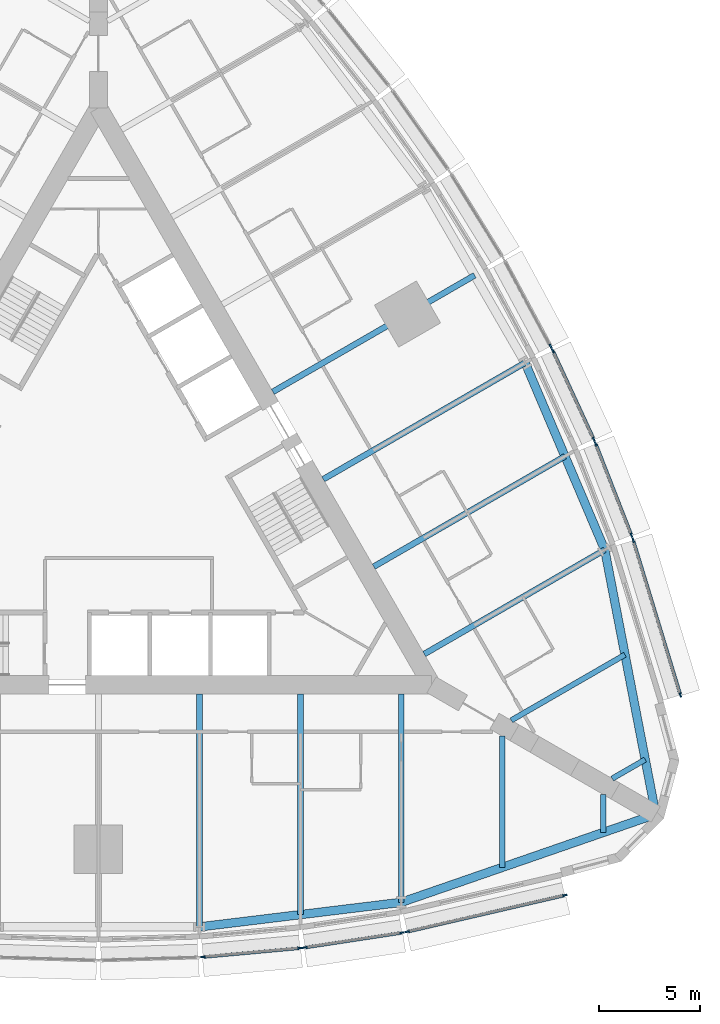
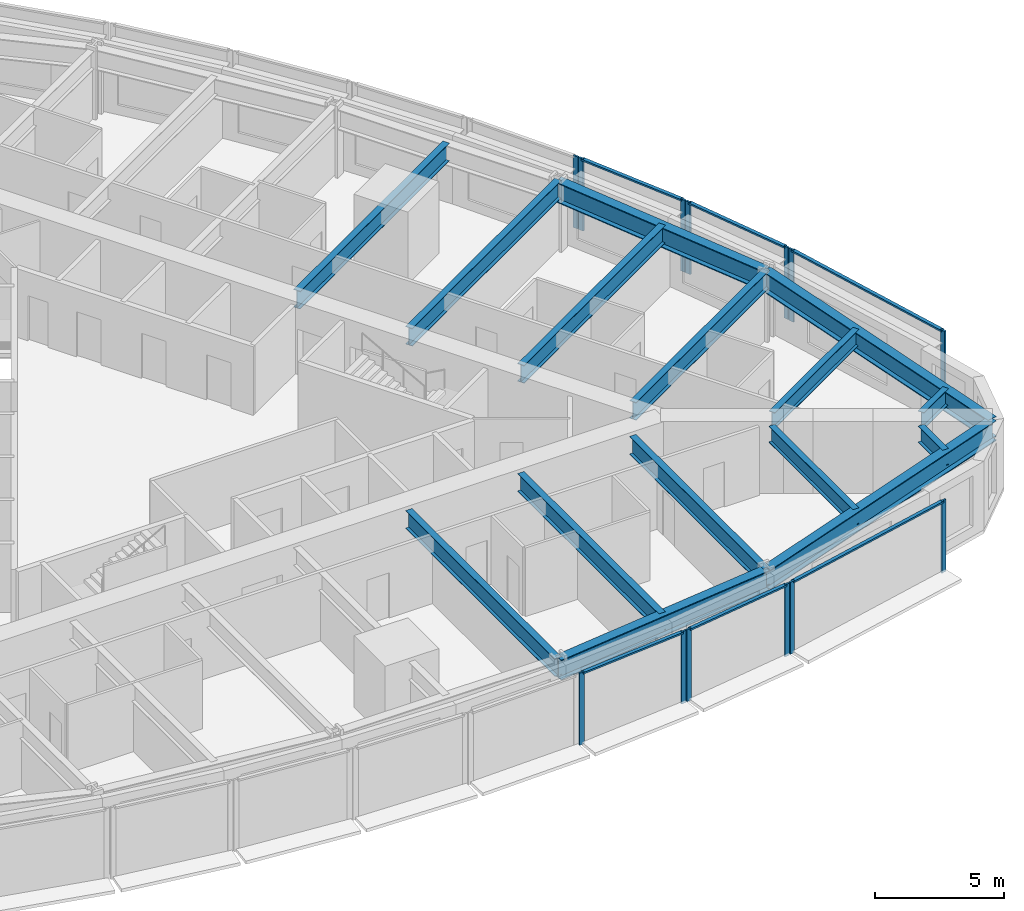
# One storey, part 3 of 14: 19 members, 15 beams, 7 elements without a shape of their own.
"""IFC4 building model written with IfcOpenShell, lengths in metres."""

from ifc_helpers import new_model, si_unit, direction, frame, origin, origin_2d, place, context, subcontext, project, spatial, rectangle, i_section, extrude, material, material_profile, profile_set, type_object, element, aggregate, save


model = new_model("IFC4")

# Units and contexts
model_context = context("Model", 3, precision=1e-05, world=origin(), true_north=direction((0.0, 1.0)))
body_context = subcontext(model_context, "Body", "Model", "MODEL_VIEW")
ifc_project = project(units=[si_unit("LENGTHUNIT", "METRE"), si_unit("AREAUNIT", "SQUARE_METRE"), si_unit("VOLUMEUNIT", "CUBIC_METRE"), si_unit("PLANEANGLEUNIT", "RADIAN"), si_unit("MASSUNIT", "GRAM", prefix="KILO")], contexts=[model_context])

# Site, building, storey
site_placement = place(None, origin())
site = spatial("IfcSite", under=ifc_project, at=site_placement, CompositionType="ELEMENT")
building_placement = place(site_placement, origin())
building = spatial("IfcBuilding", under=site, at=building_placement, Name="Trikona Tower", CompositionType="ELEMENT")
storey_placement = place(building_placement, frame((0.0, 0.0, 38.699951171875)))
storey = spatial("IfcBuildingStorey", under=building, at=storey_placement, Name="L08", CompositionType="ELEMENT", Elevation=38.699951171875)

# Curtain wall, members
ifc_material_1 = material(Name="Aluminium curtain wall system", Category="aluminium")
curtain_wall_type = type_object("IfcCurtainWallType", Name="Curtain wall DS1", PredefinedType="NOTDEFINED", material=ifc_material_1)
curtain_wall_1_placement = place(storey_placement, origin())
curtain_wall_1 = element("IfcCurtainWall", 1, at=curtain_wall_1_placement, inside=storey, type_object=curtain_wall_type, Name="Curtain wall DS1 L08", PredefinedType="NOTDEFINED")
ifc_material_2 = material(Name="Aluminium mullion, pale anodised", Category="aluminium")
ifc_material_profile_1 = material_profile(ifc_material_2, rectangle(XDim=0.080078125, YDim=0.219970703125, at=origin_2d()), Name="MUL-DS1")
ifc_profile_set_1 = profile_set([ifc_material_profile_1], Name="Aluminium mullion, pale anodised")
member_type_1 = type_object("IfcMemberType", Name="Mullion DS1 80x220", PredefinedType="MULLION", material=ifc_profile_set_1)
member_1_placement = place(storey_placement, frame((5.181396484375, -23.007568359375, 0.0), z_axis=(0.0, 0.0, 1.0), x_axis=(-0.090923932737, 0.995857840485, 0.0)))
member_1 = element("IfcMember", 2, at=member_1_placement, type_object=member_type_1, Name="CW-DS1 mullion 1", PredefinedType="MULLION", context=body_context, shape_type="SweptSolid", body=[
    extrude(rectangle(XDim=0.080078125, YDim=0.219970703125, at=origin_2d()), origin(), (0.0, 0.0, 1.0), 3.400146484375),
])
member_2_placement = place(storey_placement, frame((9.982177734375, -22.5693359375, 0.0), z_axis=(0.0, 0.0, 1.0), x_axis=(-0.090923932737, 0.995857840485, 0.0)))
member_2 = element("IfcMember", 3, at=member_2_placement, type_object=member_type_1, Name="CW-DS1 mullion 2", PredefinedType="MULLION", context=body_context, shape_type="SweptSolid", body=[
    extrude(rectangle(XDim=0.080078125, YDim=0.219970703125, at=origin_2d()), origin(), (0.0, 0.0, 1.0), 3.400146484375),
])

curtain_wall_2_placement = place(storey_placement, origin())
curtain_wall_2 = element("IfcCurtainWall", 4, at=curtain_wall_2_placement, inside=storey, type_object=curtain_wall_type, Name="Curtain wall DS1 L08", PredefinedType="NOTDEFINED")
member_3_placement = place(storey_placement, frame((10.234130859375, -22.53857421875, 0.0), z_axis=(0.0, 0.0, 1.0), x_axis=(-0.150437693845, 0.988619492156, 0.0)))
member_3 = element("IfcMember", 5, at=member_3_placement, type_object=member_type_1, Name="CW-DS1 mullion 1", PredefinedType="MULLION", context=body_context, shape_type="SweptSolid", body=[
    extrude(rectangle(XDim=0.080078125, YDim=0.219970703125, at=origin_2d()), origin(), (0.0, 0.0, 1.0), 3.400146484375),
])
member_4_placement = place(storey_placement, frame((15.03662109375, -21.807861328125, 0.0), z_axis=(0.0, 0.0, 1.0), x_axis=(-0.150437693845, 0.988619492156, 0.0)))
member_4 = element("IfcMember", 6, at=member_4_placement, type_object=member_type_1, Name="CW-DS1 mullion 2", PredefinedType="MULLION", context=body_context, shape_type="SweptSolid", body=[
    extrude(rectangle(XDim=0.080078125, YDim=0.219970703125, at=origin_2d()), origin(), (0.0, 0.0, 1.0), 3.400146484375),
])

curtain_wall_3_placement = place(storey_placement, origin())
curtain_wall_3 = element("IfcCurtainWall", 7, at=curtain_wall_3_placement, inside=storey, type_object=curtain_wall_type, Name="Curtain wall DS1 L08", PredefinedType="NOTDEFINED")
member_5_placement = place(storey_placement, frame((15.30029296875, -21.75732421875, 0.0), z_axis=(0.0, 0.0, 1.0), x_axis=(-0.225343288756, 0.974279427173, 0.0)))
member_5 = element("IfcMember", 8, at=member_5_placement, type_object=member_type_1, Name="CW-DS1 mullion 1", PredefinedType="MULLION", context=body_context, shape_type="SweptSolid", body=[
    extrude(rectangle(XDim=0.080078125, YDim=0.219970703125, at=origin_2d()), origin(), (0.0, 0.0, 1.0), 3.400146484375),
])
member_6_placement = place(storey_placement, frame((23.10546875, -19.951904296875, 0.0), z_axis=(0.0, 0.0, 1.0), x_axis=(-0.225343288756, 0.974279427173, 0.0)))
member_6 = element("IfcMember", 9, at=member_6_placement, type_object=member_type_1, Name="CW-DS1 mullion 2", PredefinedType="MULLION", context=body_context, shape_type="SweptSolid", body=[
    extrude(rectangle(XDim=0.080078125, YDim=0.219970703125, at=origin_2d()), origin(), (0.0, 0.0, 1.0), 3.400146484375),
])

curtain_wall_4_placement = place(storey_placement, origin())
curtain_wall_4 = element("IfcCurtainWall", 10, at=curtain_wall_4_placement, inside=storey, type_object=curtain_wall_type, Name="Curtain wall DS1 L08", PredefinedType="NOTDEFINED")
member_7_placement = place(storey_placement, frame((28.83154296875, -10.033935546875, 0.0), z_axis=(0.0, 0.0, 1.0), x_axis=(-0.956423115383, -0.291984287868, 0.0)))
member_7 = element("IfcMember", 11, at=member_7_placement, type_object=member_type_1, Name="CW-DS1 mullion 1", PredefinedType="MULLION", context=body_context, shape_type="SweptSolid", body=[
    extrude(rectangle(XDim=0.080078125, YDim=0.219970703125, at=origin_2d()), origin(), (0.0, 0.0, 1.0), 3.400146484375),
])
member_8_placement = place(storey_placement, frame((26.492431640625, -2.371826171875, 0.0), z_axis=(0.0, 0.0, 1.0), x_axis=(-0.956423115383, -0.291984287868, 0.0)))
member_8 = element("IfcMember", 12, at=member_8_placement, type_object=member_type_1, Name="CW-DS1 mullion 2", PredefinedType="MULLION", context=body_context, shape_type="SweptSolid", body=[
    extrude(rectangle(XDim=0.080078125, YDim=0.219970703125, at=origin_2d()), origin(), (0.0, 0.0, 1.0), 3.400146484375),
])

curtain_wall_5_placement = place(storey_placement, origin())
curtain_wall_5 = element("IfcCurtainWall", 13, at=curtain_wall_5_placement, inside=storey, type_object=curtain_wall_type, Name="Curtain wall DS1 L08", PredefinedType="NOTDEFINED")
member_9_placement = place(storey_placement, frame((26.404296875, -2.1181640625, 0.0), z_axis=(0.0, 0.0, 1.0), x_axis=(-0.931395989443, -0.36400756977, 0.0)))
member_9 = element("IfcMember", 14, at=member_9_placement, type_object=member_type_1, Name="CW-DS1 mullion 1", PredefinedType="MULLION", context=body_context, shape_type="SweptSolid", body=[
    extrude(rectangle(XDim=0.080078125, YDim=0.219970703125, at=origin_2d()), origin(), (0.0, 0.0, 1.0), 3.400146484375),
])
member_10_placement = place(storey_placement, frame((24.63623046875, 2.40625, 0.0), z_axis=(0.0, 0.0, 1.0), x_axis=(-0.931395989443, -0.36400756977, 0.0)))
member_10 = element("IfcMember", 15, at=member_10_placement, type_object=member_type_1, Name="CW-DS1 mullion 2", PredefinedType="MULLION", context=body_context, shape_type="SweptSolid", body=[
    extrude(rectangle(XDim=0.080078125, YDim=0.219970703125, at=origin_2d()), origin(), (0.0, 0.0, 1.0), 3.400146484375),
])

curtain_wall_6_placement = place(storey_placement, origin())
curtain_wall_6 = element("IfcCurtainWall", 16, at=curtain_wall_6_placement, inside=storey, type_object=curtain_wall_type, Name="Curtain wall DS1 L08", PredefinedType="NOTDEFINED")
member_11_placement = place(storey_placement, frame((24.53662109375, 2.6396484375, 0.0), z_axis=(0.0, 0.0, 1.0), x_axis=(-0.907898459992, -0.419190155352, 0.0)))
member_11 = element("IfcMember", 17, at=member_11_placement, type_object=member_type_1, Name="CW-DS1 mullion 1", PredefinedType="MULLION", context=body_context, shape_type="SweptSolid", body=[
    extrude(rectangle(XDim=0.080078125, YDim=0.219970703125, at=origin_2d()), origin(), (0.0, 0.0, 1.0), 3.400146484375),
])
member_12_placement = place(storey_placement, frame((22.515869140625, 7.0166015625, 0.0), z_axis=(0.0, 0.0, 1.0), x_axis=(-0.907898459992, -0.419190155352, 0.0)))
member_12 = element("IfcMember", 18, at=member_12_placement, type_object=member_type_1, Name="CW-DS1 mullion 2", PredefinedType="MULLION", context=body_context, shape_type="SweptSolid", body=[
    extrude(rectangle(XDim=0.080078125, YDim=0.219970703125, at=origin_2d()), origin(), (0.0, 0.0, 1.0), 3.400146484375),
])

# Curtain wall, member
curtain_wall_7_placement = place(storey_placement, origin())
curtain_wall_7 = element("IfcCurtainWall", 19, at=curtain_wall_7_placement, inside=storey, type_object=curtain_wall_type, Name="Curtain wall DS1 L08", PredefinedType="NOTDEFINED")
member_13_placement = place(storey_placement, frame((22.402099609375, 7.244140625, 0.0), z_axis=(0.0, 0.0, 1.0), x_axis=(-0.880843080975, -0.473408350896, 0.0)))
member_13 = element("IfcMember", 20, at=member_13_placement, type_object=member_type_1, Name="CW-DS1 mullion 1", PredefinedType="MULLION", context=body_context, shape_type="SweptSolid", body=[
    extrude(rectangle(XDim=0.080078125, YDim=0.219970703125, at=origin_2d()), origin(), (0.0, 0.0, 1.0), 3.400146484375),
])
aggregate(curtain_wall_7, [member_13])

# Beams
ifc_material_3 = material(Name="Steel ASTM A992 Grade 50", Category="steel")
ifc_material_profile_2 = material_profile(ifc_material_3, i_section(OverallWidth=0.2666015625, OverallDepth=0.76953125, WebThickness=0.015625, FlangeThickness=0.025390625, at=origin_2d()), Name="W30X132")
ifc_profile_set_2 = profile_set([ifc_material_profile_2], Name="Steel ASTM A992 Grade 50")
beam_type_1 = type_object("IfcBeamType", Name="Steel beam W30x132 (wedge)", PredefinedType="BEAM", material=ifc_profile_set_2)
beam_1_placement = place(storey_placement, frame((20.0, -12.066650390625, 2.850341796875), z_axis=(0.0, -1.0, 0.0), x_axis=(1.0, 0.0, 0.0)))
element("IfcBeam", 21, at=beam_1_placement, inside=storey, type_object=beam_type_1, Name="Floor beam L09 F1 u20", PredefinedType="BEAM", context=body_context, shape_type="SweptSolid", body=[
    extrude(i_section(OverallWidth=0.2666015625, OverallDepth=0.76953125, WebThickness=0.015625, FlangeThickness=0.025390625, at=origin_2d()), origin(), (0.0, 0.0, 1.0), 6.5068359375),
])
for number, where, z_axis, x_axis, name in (
    (22, (25.0, -14.953369140625, 2.850341796875), (0.0, -1.0, 0.0), (1.0, 0.0, 0.0), "Floor beam L09 F1 u25"),
    (23, (25.449951171875, -14.173828125, 2.850341796875), (0.866065156741, 0.499931139538, 0.0), (-0.499931139538, 0.866065156741, 0.0), "Floor beam L09 F2 u-25"),
):
    element("IfcBeam", number, at=place(storey_placement, frame(where, z_axis=z_axis, x_axis=x_axis)), inside=storey, type_object=beam_type_1, Name=name, PredefinedType="BEAM", context=body_context, shape_type="SweptSolid", body=[
        extrude(i_section(OverallWidth=0.2666015625, OverallDepth=0.76953125, WebThickness=0.015625, FlangeThickness=0.025390625, at=origin_2d()), origin(), (0.0, 0.0, 1.0), 1.890380859375),
    ])
beam_2_placement = place(storey_placement, frame((20.449951171875, -11.287109375, 2.850341796875), z_axis=(0.866022504693, 0.50000502134, 0.0), x_axis=(-0.50000502134, 0.866022504693, 0.0)))
element("IfcBeam", 24, at=beam_2_placement, inside=storey, type_object=beam_type_1, Name="Floor beam L09 F2 u-20", PredefinedType="BEAM", context=body_context, shape_type="SweptSolid", body=[
    extrude(i_section(OverallWidth=0.2666015625, OverallDepth=0.76953125, WebThickness=0.015625, FlangeThickness=0.025390625, at=origin_2d()), origin(), (0.0, 0.0, 1.0), 6.5068359375),
])
ifc_material_4 = material(Name="Steel ASTM A992 Grade 50", Category="steel")
ifc_material_profile_3 = material_profile(ifc_material_4, i_section(OverallWidth=0.2919921875, OverallDepth=0.845703125, WebThickness=0.015380859375, FlangeThickness=0.0244140625, at=origin_2d()), Name="W33X141")
ifc_profile_set_3 = profile_set([ifc_material_profile_3], Name="Steel ASTM A992 Grade 50")
beam_type_2 = type_object("IfcBeamType", Name="Steel beam W33x141 (radial typ)", PredefinedType="BEAM", material=ifc_profile_set_3)
beam_3_placement = place(storey_placement, frame((5.0, -9.976318359375, 2.812255859375), z_axis=(0.0, -1.0, 0.0), x_axis=(1.0, 0.0, 0.0)))
element("IfcBeam", 25, at=beam_3_placement, inside=storey, type_object=beam_type_2, Name="Floor beam L09 F1 u5", PredefinedType="BEAM", context=body_context, shape_type="SweptSolid", body=[
    extrude(i_section(OverallWidth=0.2919921875, OverallDepth=0.845703125, WebThickness=0.015380859375, FlangeThickness=0.0244140625, at=origin_2d()), origin(), (0.0, 0.0, 1.0), 11.544189453125),
])
beam_4_placement = place(storey_placement, frame((10.0, -9.976318359375, 2.812255859375), z_axis=(0.0, -1.0, 0.0), x_axis=(1.0, 0.0, 0.0)))
element("IfcBeam", 26, at=beam_4_placement, inside=storey, type_object=beam_type_2, Name="Floor beam L09 F1 u10", PredefinedType="BEAM", context=body_context, shape_type="SweptSolid", body=[
    extrude(i_section(OverallWidth=0.2919921875, OverallDepth=0.845703125, WebThickness=0.015380859375, FlangeThickness=0.0244140625, at=origin_2d()), origin(), (0.0, 0.0, 1.0), 10.935302734375),
])
beam_5_placement = place(storey_placement, frame((15.0, -9.976318359375, 2.812255859375), z_axis=(0.0, -1.0, 0.0), x_axis=(1.0, 0.0, 0.0)))
element("IfcBeam", 27, at=beam_5_placement, inside=storey, type_object=beam_type_2, Name="Floor beam L09 F1 u15", PredefinedType="BEAM", context=body_context, shape_type="SweptSolid", body=[
    extrude(i_section(OverallWidth=0.2919921875, OverallDepth=0.845703125, WebThickness=0.015380859375, FlangeThickness=0.0244140625, at=origin_2d()), origin(), (0.0, 0.0, 1.0), 10.32666015625),
])
beam_6_placement = place(storey_placement, frame((16.1396484375, -8.002197265625, 2.812255859375), z_axis=(0.866030471684, 0.499991222037, 0.0), x_axis=(-0.499991222037, 0.866030471684, 0.0)))
element("IfcBeam", 28, at=beam_6_placement, inside=storey, type_object=beam_type_2, Name="Floor beam L09 F2 u-15", PredefinedType="BEAM", context=body_context, shape_type="SweptSolid", body=[
    extrude(i_section(OverallWidth=0.2919921875, OverallDepth=0.845703125, WebThickness=0.015380859375, FlangeThickness=0.0244140625, at=origin_2d()), origin(), (0.0, 0.0, 1.0), 10.326904296875),
])
beam_7_placement = place(storey_placement, frame((13.6396484375, -3.672119140625, 2.812255859375), z_axis=(0.866025348605, 0.500000095573, 0.0), x_axis=(-0.500000095573, 0.866025348605, 0.0)))
element("IfcBeam", 29, at=beam_7_placement, inside=storey, type_object=beam_type_2, Name="Floor beam L09 F2 u-10", PredefinedType="BEAM", context=body_context, shape_type="SweptSolid", body=[
    extrude(i_section(OverallWidth=0.2919921875, OverallDepth=0.845703125, WebThickness=0.015380859375, FlangeThickness=0.0244140625, at=origin_2d()), origin(), (0.0, 0.0, 1.0), 10.935546875),
])
for number, where, z_axis, x_axis, name in (
    (30, (11.1396484375, 0.657958984375, 2.812255859375), (0.866020765707, 0.500008033299, 0.0), (-0.500008033299, 0.866020765707, 0.0), "Floor beam L09 F2 u-5"),
    (31, (8.6396484375, 4.988037109375, 2.812255859375), (0.866020765707, 0.500008033299, 0.0), (-0.500008033299, 0.866020765707, 0.0), "Floor beam L09 F2 u0"),
):
    element("IfcBeam", number, at=place(storey_placement, frame(where, z_axis=z_axis, x_axis=x_axis)), inside=storey, type_object=beam_type_2, Name=name, PredefinedType="BEAM", context=body_context, shape_type="SweptSolid", body=[
        extrude(i_section(OverallWidth=0.2919921875, OverallDepth=0.845703125, WebThickness=0.015380859375, FlangeThickness=0.0244140625, at=origin_2d()), origin(), (0.0, 0.0, 1.0), 11.544189453125),
    ])
ifc_material_5 = material(Name="Steel ASTM A992 Grade 50", Category="steel")
ifc_material_profile_4 = material_profile(ifc_material_5, i_section(OverallWidth=0.424072265625, OverallDepth=0.947509765625, WebThickness=0.02392578125, FlangeThickness=0.042724609375, at=origin_2d()), Name="W36X302")
ifc_profile_set_4 = profile_set([ifc_material_profile_4], Name="Steel ASTM A992 Grade 50")
beam_type_3 = type_object("IfcBeamType", Name="Steel beam W36x302 (spandrel)", PredefinedType="SPANDREL", material=ifc_profile_set_4)
beam_8_placement = place(storey_placement, frame((5.0, -21.5205078125, 2.76123046875), z_axis=(0.99266951126, 0.120860421207, 0.0), x_axis=(-0.120860421207, 0.99266951126, 0.0)))
element("IfcBeam", 32, at=beam_8_placement, inside=storey, type_object=beam_type_3, Name="Spandrel beam L09 F1-4", PredefinedType="SPANDREL", context=body_context, shape_type="SweptSolid", body=[
    extrude(i_section(OverallWidth=0.424072265625, OverallDepth=0.947509765625, WebThickness=0.02392578125, FlangeThickness=0.042724609375, at=origin_2d()), origin(), (0.0, 0.0, 1.0), 10.07373046875),
])
for number, where, z_axis, x_axis, name in (
    (33, (15.0, -20.302978515625, 2.76123046875), (0.945056965739, 0.326905692071, 0.0), (-0.326905692071, 0.945056965739, 0.0), "Spandrel beam L09 F1-5"),
    (34, (27.6103515625, -15.94091796875, 2.76123046875), (-0.189405184036, 0.981899015307, 0.0), (-0.981899015307, -0.189405184036, 0.0), "Spandrel beam L09 F2-1"),
):
    element("IfcBeam", number, at=place(storey_placement, frame(where, z_axis=z_axis, x_axis=x_axis)), inside=storey, type_object=beam_type_3, Name=name, PredefinedType="SPANDREL", context=body_context, shape_type="SweptSolid", body=[
        extrude(i_section(OverallWidth=0.424072265625, OverallDepth=0.947509765625, WebThickness=0.02392578125, FlangeThickness=0.042724609375, at=origin_2d()), origin(), (0.0, 0.0, 1.0), 13.343505859375),
    ])
beam_9_placement = place(storey_placement, frame((25.0830078125, -2.8388671875, 2.76123046875), z_axis=(-0.391683514847, 0.920100007715, 0.0), x_axis=(-0.920100007715, -0.391683514847, 0.0)))
element("IfcBeam", 35, at=beam_9_placement, inside=storey, type_object=beam_type_3, Name="Spandrel beam L09 F2-2", PredefinedType="SPANDREL", context=body_context, shape_type="SweptSolid", body=[
    extrude(i_section(OverallWidth=0.424072265625, OverallDepth=0.947509765625, WebThickness=0.02392578125, FlangeThickness=0.042724609375, at=origin_2d()), origin(), (0.0, 0.0, 1.0), 10.073974609375),
])

# Member
ifc_material_6 = material(Name="Aluminium transom, pale anodised", Category="aluminium")
ifc_material_profile_5 = material_profile(ifc_material_6, rectangle(XDim=0.159912109375, YDim=0.080078125, at=origin_2d()), Name="TRN-DS1")
ifc_profile_set_5 = profile_set([ifc_material_profile_5], Name="Aluminium transom, pale anodised")
member_type_2 = type_object("IfcMemberType", Name="Transom DS1 80x160", PredefinedType="USERDEFINED", material=ifc_profile_set_5)
member_14_placement = place(storey_placement, frame((5.22119140625, -23.00390625, 3.360107421875), z_axis=(0.995855977008, 0.090944340438, 0.0), x_axis=(-0.090944340438, 0.995855977008, 0.0)))
member_14 = element("IfcMember", 36, at=member_14_placement, type_object=member_type_2, Name="CW-DS1 transom 1.1", ObjectType="TRANSOM", PredefinedType="USERDEFINED", context=body_context, shape_type="SweptSolid", body=[
    extrude(rectangle(XDim=0.159912109375, YDim=0.080078125, at=origin_2d()), origin(), (0.0, 0.0, 1.0), 4.74072265625),
])

aggregate(curtain_wall_1, [member_1, member_2, member_14])

member_15_placement = place(storey_placement, frame((10.273681640625, -22.532470703125, 3.360107421875), z_axis=(0.988619663412, 0.150436568413, 0.0), x_axis=(-0.150436568413, 0.988619663412, 0.0)))
member_15 = element("IfcMember", 37, at=member_15_placement, type_object=member_type_2, Name="CW-DS1 transom 1.1", ObjectType="TRANSOM", PredefinedType="USERDEFINED", context=body_context, shape_type="SweptSolid", body=[
    extrude(rectangle(XDim=0.159912109375, YDim=0.080078125, at=origin_2d()), origin(), (0.0, 0.0, 1.0), 4.77783203125),
])

aggregate(curtain_wall_2, [member_3, member_4, member_15])

member_16_placement = place(storey_placement, frame((15.33935546875, -21.748291015625, 3.360107421875), z_axis=(0.974275371842, 0.225360821398, 0.0), x_axis=(-0.225360821398, 0.974275371842, 0.0)))
member_16 = element("IfcMember", 38, at=member_16_placement, type_object=member_type_2, Name="CW-DS1 transom 1.1", ObjectType="TRANSOM", PredefinedType="USERDEFINED", context=body_context, shape_type="SweptSolid", body=[
    extrude(rectangle(XDim=0.159912109375, YDim=0.080078125, at=origin_2d()), origin(), (0.0, 0.0, 1.0), 7.93115234375),
])

aggregate(curtain_wall_3, [member_5, member_6, member_16])

member_17_placement = place(storey_placement, frame((28.81982421875, -9.99560546875, 3.360107421875), z_axis=(-0.291967490203, 0.956428243343, 0.0), x_axis=(-0.956428243343, -0.291967490203, 0.0)))
member_17 = element("IfcMember", 39, at=member_17_placement, type_object=member_type_2, Name="CW-DS1 transom 1.1", ObjectType="TRANSOM", PredefinedType="USERDEFINED", context=body_context, shape_type="SweptSolid", body=[
    extrude(rectangle(XDim=0.159912109375, YDim=0.080078125, at=origin_2d()), origin(), (0.0, 0.0, 1.0), 7.93115234375),
])

aggregate(curtain_wall_4, [member_7, member_8, member_17])

member_18_placement = place(storey_placement, frame((26.389892578125, -2.080810546875, 3.360107421875), z_axis=(-0.364048647668, 0.931379934362, 0.0), x_axis=(-0.931379934362, -0.364048647668, 0.0)))
member_18 = element("IfcMember", 40, at=member_18_placement, type_object=member_type_2, Name="CW-DS1 transom 1.1", ObjectType="TRANSOM", PredefinedType="USERDEFINED", context=body_context, shape_type="SweptSolid", body=[
    extrude(rectangle(XDim=0.159912109375, YDim=0.080078125, at=origin_2d()), origin(), (0.0, 0.0, 1.0), 4.777587890625),
])

aggregate(curtain_wall_5, [member_9, member_10, member_18])

member_19_placement = place(storey_placement, frame((24.52001953125, 2.676025390625, 3.360107421875), z_axis=(-0.419188800665, 0.90789908547, 0.0), x_axis=(-0.90789908547, -0.419188800665, 0.0)))
member_19 = element("IfcMember", 41, at=member_19_placement, type_object=member_type_2, Name="CW-DS1 transom 1.1", ObjectType="TRANSOM", PredefinedType="USERDEFINED", context=body_context, shape_type="SweptSolid", body=[
    extrude(rectangle(XDim=0.159912109375, YDim=0.080078125, at=origin_2d()), origin(), (0.0, 0.0, 1.0), 4.74072265625),
])

aggregate(curtain_wall_6, [member_11, member_12, member_19])

save(model, "model.ifc")
